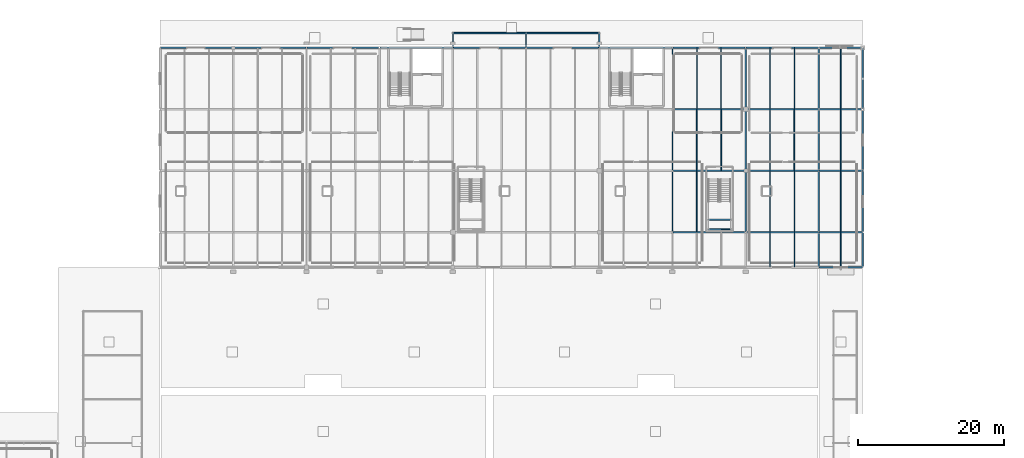
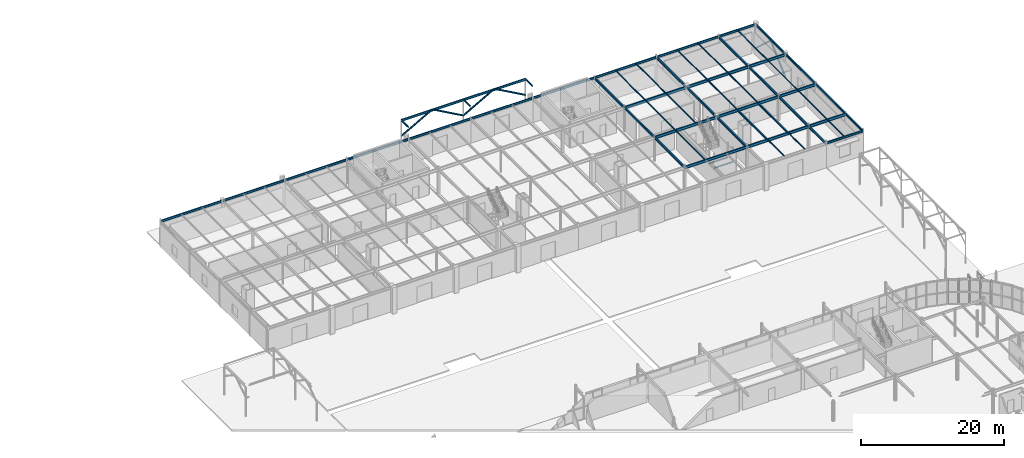
# One storey, part 72 of 119: 57 beams, 6 members.
"""IFC4 building model written with IfcOpenShell, lengths in metres."""

from ifc_helpers import new_model, si_unit, derived_unit, direction, frame, origin, origin_2d_with_axis, place, context, subcontext, project, spatial, hollow_rectangle, hollow_circle, i_section, extrude, material, material_profile, profile_set, type_object, element, save


model = new_model("IFC4")

# Units and contexts
model_context = context("Model", 3, precision=1e-05, world=origin(), true_north=direction((0.0, 1.0)))
body_context = subcontext(model_context, "Body", "Model", "MODEL_VIEW")
ifc_project = project(units=[si_unit("LENGTHUNIT", "METRE"), si_unit("AREAUNIT", "SQUARE_METRE"), si_unit("VOLUMEUNIT", "CUBIC_METRE"), si_unit("PLANEANGLEUNIT", "RADIAN"), si_unit("MASSUNIT", "GRAM", prefix="KILO"), derived_unit("THERMALTRANSMITTANCEUNIT", [(si_unit("POWERUNIT", "WATT"), 1), (si_unit("LENGTHUNIT", "METRE"), -2), (si_unit("THERMODYNAMICTEMPERATUREUNIT", "KELVIN"), -1)])], contexts=[model_context])

# Site, building, storey
site_placement = place(None, origin())
site = spatial("IfcSite", under=ifc_project, at=site_placement, CompositionType="ELEMENT")
building_placement = place(site_placement, origin())
building = spatial("IfcBuilding", under=site, at=building_placement, Name="Cinnabar Yard Market Hall", CompositionType="ELEMENT")
storey_placement = place(building_placement, origin())
storey = spatial("IfcBuildingStorey", under=building, at=storey_placement, Name="L00", CompositionType="ELEMENT", Elevation=0.0)

# Beams
ifc_material_1 = material(Name="Steel Grade 300 (300 MPa)", Category="steel")
ifc_material_profile_1 = material_profile(ifc_material_1, i_section(OverallWidth=0.18994140625, OverallDepth=0.453857421875, WebThickness=0.008544921875, FlangeThickness=0.0126953125, FilletRadius=0.011474609375, at=origin_2d_with_axis()), Name="460UB67.1")
ifc_profile_set_1 = profile_set([ifc_material_profile_1], Name="Steel Grade 300 (300 MPa)")
beam_type_1 = type_object("IfcBeamType", Name="BM-B05", PredefinedType="BEAM", material=ifc_profile_set_1)
for number, where, z_axis, x_axis, name in (
    (1, (136.06005859375, 112.800048828125, 4.01318359375), (1.0, 0.0, 0.0), (0.0, 1.0, 0.0), "V3 L00 Girder X 00895"),
    (2, (136.06005859375, 121.199951171875, 4.01318359375), (1.0, 0.0, 0.0), (0.0, 1.0, 0.0), "V3 L00 Girder X 00896"),
    (3, (136.06005859375, 129.60009765625, 4.01318359375), (1.0, 0.0, 0.0), (0.0, 1.0, 0.0), "V3 L00 Girder X 00897"),
    (4, (146.06005859375, 112.800048828125, 4.01318359375), (1.0, 0.0, 0.0), (0.0, 1.0, 0.0), "V3 L00 Girder X 00900"),
    (5, (146.06005859375, 121.199951171875, 4.01318359375), (1.0, 0.0, 0.0), (0.0, 1.0, 0.0), "V3 L00 Girder X 00901"),
    (6, (146.06005859375, 129.60009765625, 4.01318359375), (1.0, 0.0, 0.0), (0.0, 1.0, 0.0), "V3 L00 Girder X 00902"),
):
    element("IfcBeam", number, at=place(storey_placement, frame(where, z_axis=z_axis, x_axis=x_axis)), inside=storey, type_object=beam_type_1, Name=name, PredefinedType="BEAM", context=body_context, shape_type="SweptSolid", body=[
        extrude(i_section(OverallWidth=0.18994140625, OverallDepth=0.453857421875, WebThickness=0.008544921875, FlangeThickness=0.0126953125, FilletRadius=0.011474609375, at=origin_2d_with_axis()), origin(), (0.0, 0.0, 1.0), 9.8798828125),
    ])
for number, where, z_axis, x_axis, name in (
    (7, (156.06005859375, 112.800048828125, 4.01318359375), (1.0, 0.0, 0.0), (0.0, 1.0, 0.0), "V3 L00 Girder X 00905"),
    (8, (156.06005859375, 121.199951171875, 4.01318359375), (1.0, 0.0, 0.0), (0.0, 1.0, 0.0), "V3 L00 Girder X 00906"),
    (9, (156.06005859375, 129.60009765625, 4.01318359375), (1.0, 0.0, 0.0), (0.0, 1.0, 0.0), "V3 L00 Girder X 00907"),
):
    element("IfcBeam", number, at=place(storey_placement, frame(where, z_axis=z_axis, x_axis=x_axis)), inside=storey, type_object=beam_type_1, Name=name, PredefinedType="BEAM", context=body_context, shape_type="SweptSolid", body=[
        extrude(i_section(OverallWidth=0.18994140625, OverallDepth=0.453857421875, WebThickness=0.008544921875, FlangeThickness=0.0126953125, FilletRadius=0.011474609375, at=origin_2d_with_axis()), origin(), (0.0, 0.0, 1.0), 5.8798828125),
    ])
ifc_material_profile_2 = material_profile(ifc_material_1, i_section(OverallWidth=0.177978515625, OverallDepth=0.406494140625, WebThickness=0.0078125, FlangeThickness=0.0126953125, FilletRadius=0.011474609375, at=origin_2d_with_axis()), Name="410UB59.7")
ifc_profile_set_2 = profile_set([ifc_material_profile_2], Name="Steel Grade 300 (300 MPa)")
beam_type_2 = type_object("IfcBeamType", Name="BM-B06", PredefinedType="BEAM", material=ifc_profile_set_2)
beam_1_placement = place(storey_placement, frame((136.0, 112.860107421875, 4.036865234375), z_axis=(0.0, 1.0, 0.0), x_axis=(-1.0, 0.0, 0.0)))
element("IfcBeam", 10, at=beam_1_placement, inside=storey, type_object=beam_type_2, Name="V3 L00 Girder Y 00938", PredefinedType="BEAM", context=body_context, shape_type="SweptSolid", body=[
    extrude(i_section(OverallWidth=0.177978515625, OverallDepth=0.406494140625, WebThickness=0.0078125, FlangeThickness=0.0126953125, FilletRadius=0.011474609375, at=origin_2d_with_axis()), origin(), (0.0, 0.0, 1.0), 8.27978515625),
])
for number, where, z_axis, x_axis, name in (
    (11, (136.0, 121.260009765625, 4.036865234375), (0.0, 1.0, 0.0), (-1.0, 0.0, 0.0), "V3 L00 Girder Y 00939"),
    (12, (136.0, 129.659912109375, 4.036865234375), (0.0, 1.0, 0.0), (-1.0, 0.0, 0.0), "V3 L00 Girder Y 00940"),
):
    element("IfcBeam", number, at=place(storey_placement, frame(where, z_axis=z_axis, x_axis=x_axis)), inside=storey, type_object=beam_type_2, Name=name, PredefinedType="BEAM", context=body_context, shape_type="SweptSolid", body=[
        extrude(i_section(OverallWidth=0.177978515625, OverallDepth=0.406494140625, WebThickness=0.0078125, FlangeThickness=0.0126953125, FilletRadius=0.011474609375, at=origin_2d_with_axis()), origin(), (0.0, 0.0, 1.0), 8.280029296875),
    ])
beam_2_placement = place(storey_placement, frame((146.0, 112.860107421875, 4.036865234375), z_axis=(0.0, 1.0, 0.0), x_axis=(-1.0, 0.0, 0.0)))
element("IfcBeam", 13, at=beam_2_placement, inside=storey, type_object=beam_type_2, Name="V3 L00 Girder Y 00942", PredefinedType="BEAM", context=body_context, shape_type="SweptSolid", body=[
    extrude(i_section(OverallWidth=0.177978515625, OverallDepth=0.406494140625, WebThickness=0.0078125, FlangeThickness=0.0126953125, FilletRadius=0.011474609375, at=origin_2d_with_axis()), origin(), (0.0, 0.0, 1.0), 8.27978515625),
])
for number, where, z_axis, x_axis, name in (
    (14, (146.0, 121.260009765625, 4.036865234375), (0.0, 1.0, 0.0), (-1.0, 0.0, 0.0), "V3 L00 Girder Y 00943"),
    (15, (146.0, 129.659912109375, 4.036865234375), (0.0, 1.0, 0.0), (-1.0, 0.0, 0.0), "V3 L00 Girder Y 00944"),
):
    element("IfcBeam", number, at=place(storey_placement, frame(where, z_axis=z_axis, x_axis=x_axis)), inside=storey, type_object=beam_type_2, Name=name, PredefinedType="BEAM", context=body_context, shape_type="SweptSolid", body=[
        extrude(i_section(OverallWidth=0.177978515625, OverallDepth=0.406494140625, WebThickness=0.0078125, FlangeThickness=0.0126953125, FilletRadius=0.011474609375, at=origin_2d_with_axis()), origin(), (0.0, 0.0, 1.0), 8.280029296875),
    ])
beam_3_placement = place(storey_placement, frame((156.0, 108.06005859375, 4.036865234375), z_axis=(0.0, 1.0, 0.0), x_axis=(-1.0, 0.0, 0.0)))
element("IfcBeam", 16, at=beam_3_placement, inside=storey, type_object=beam_type_2, Name="V3 L00 Girder Y 00945", PredefinedType="BEAM", context=body_context, shape_type="SweptSolid", body=[
    extrude(i_section(OverallWidth=0.177978515625, OverallDepth=0.406494140625, WebThickness=0.0078125, FlangeThickness=0.0126953125, FilletRadius=0.011474609375, at=origin_2d_with_axis()), origin(), (0.0, 0.0, 1.0), 4.679931640625),
])
beam_4_placement = place(storey_placement, frame((156.0, 112.860107421875, 4.036865234375), z_axis=(0.0, 1.0, 0.0), x_axis=(-1.0, 0.0, 0.0)))
element("IfcBeam", 17, at=beam_4_placement, inside=storey, type_object=beam_type_2, Name="V3 L00 Girder Y 00946", PredefinedType="BEAM", context=body_context, shape_type="SweptSolid", body=[
    extrude(i_section(OverallWidth=0.177978515625, OverallDepth=0.406494140625, WebThickness=0.0078125, FlangeThickness=0.0126953125, FilletRadius=0.011474609375, at=origin_2d_with_axis()), origin(), (0.0, 0.0, 1.0), 8.27978515625),
])
for number, where, z_axis, x_axis, name in (
    (18, (156.0, 121.260009765625, 4.036865234375), (0.0, 1.0, 0.0), (-1.0, 0.0, 0.0), "V3 L00 Girder Y 00947"),
    (19, (156.0, 129.659912109375, 4.036865234375), (0.0, 1.0, 0.0), (-1.0, 0.0, 0.0), "V3 L00 Girder Y 00948"),
):
    element("IfcBeam", number, at=place(storey_placement, frame(where, z_axis=z_axis, x_axis=x_axis)), inside=storey, type_object=beam_type_2, Name=name, PredefinedType="BEAM", context=body_context, shape_type="SweptSolid", body=[
        extrude(i_section(OverallWidth=0.177978515625, OverallDepth=0.406494140625, WebThickness=0.0078125, FlangeThickness=0.0126953125, FilletRadius=0.011474609375, at=origin_2d_with_axis()), origin(), (0.0, 0.0, 1.0), 8.280029296875),
    ])
ifc_material_profile_3 = material_profile(ifc_material_1, i_section(OverallWidth=0.172119140625, OverallDepth=0.358642578125, WebThickness=0.008056640625, FlangeThickness=0.012939453125, FilletRadius=0.011474609375, at=origin_2d_with_axis()), Name="360UB56.7")
ifc_profile_set_3 = profile_set([ifc_material_profile_3], Name="Steel Grade 300 (300 MPa)")
beam_type_3 = type_object("IfcBeamType", Name="BM-B07E", PredefinedType="BEAM", material=ifc_profile_set_3)
beam_5_placement = place(storey_placement, frame((106.0, 140.0, 6.07080078125), z_axis=(1.0, 0.0, 0.0), x_axis=(0.0, 1.0, 0.0)))
element("IfcBeam", 20, at=beam_5_placement, inside=storey, type_object=beam_type_3, Name="North Pishtaq Canopy Beam 01582", PredefinedType="BEAM", context=body_context, shape_type="SweptSolid", body=[
    extrude(i_section(OverallWidth=0.172119140625, OverallDepth=0.358642578125, WebThickness=0.008056640625, FlangeThickness=0.012939453125, FilletRadius=0.011474609375, at=origin_2d_with_axis()), origin(), (0.0, 0.0, 1.0), 20.0),
])
ifc_material_profile_4 = material_profile(ifc_material_1, i_section(OverallWidth=0.14599609375, OverallDepth=0.256103515625, WebThickness=0.00634765625, FlangeThickness=0.010986328125, FilletRadius=0.0087890625, at=origin_2d_with_axis()), Name="250UB37.3")
ifc_profile_set_4 = profile_set([ifc_material_profile_4], Name="Steel Grade 300 (300 MPa)")
beam_type_4 = type_object("IfcBeamType", Name="BM-J03E", PredefinedType="JOIST", material=ifc_profile_set_4)
for number, where, z_axis, x_axis, name in (
    (21, (106.0, 138.0, 6.121826171875), (0.0, 1.0, 0.0), (-1.0, 0.0, 0.0), "North Pishtaq Tie 01583"),
    (22, (116.0, 138.0, 6.121826171875), (0.0, 1.0, 0.0), (-1.0, 0.0, 0.0), "North Pishtaq Tie 01584"),
    (23, (126.0, 138.0, 6.121826171875), (0.0, 1.0, 0.0), (-1.0, 0.0, 0.0), "North Pishtaq Tie 01585"),
):
    element("IfcBeam", number, at=place(storey_placement, frame(where, z_axis=z_axis, x_axis=x_axis)), inside=storey, type_object=beam_type_4, Name=name, PredefinedType="JOIST", context=body_context, shape_type="SweptSolid", body=[
        extrude(i_section(OverallWidth=0.14599609375, OverallDepth=0.256103515625, WebThickness=0.00634765625, FlangeThickness=0.010986328125, FilletRadius=0.0087890625, at=origin_2d_with_axis()), origin(), (0.0, 0.0, 1.0), 2.0),
    ])
ifc_material_profile_5 = material_profile(ifc_material_1, i_section(OverallWidth=0.133056640625, OverallDepth=0.203125, WebThickness=0.005859375, FlangeThickness=0.0078125, FilletRadius=0.0087890625, at=origin_2d_with_axis()), Name="200UB25.4")
ifc_profile_set_5 = profile_set([ifc_material_profile_5], Name="Steel Grade 300 (300 MPa)")
beam_type_5 = type_object("IfcBeamType", Name="BM-J07", PredefinedType="JOIST", material=ifc_profile_set_5)
beam_6_placement = place(storey_placement, frame((139.333251953125, 112.875, 4.138427734375), z_axis=(0.0, 1.0, 0.0), x_axis=(-1.0, 0.0, 0.0)))
element("IfcBeam", 24, at=beam_6_placement, inside=storey, type_object=beam_type_5, Name="V3 L00 Joist 01005", PredefinedType="JOIST", context=body_context, shape_type="SweptSolid", body=[
    extrude(i_section(OverallWidth=0.133056640625, OverallDepth=0.203125, WebThickness=0.005859375, FlangeThickness=0.0078125, FilletRadius=0.0087890625, at=origin_2d_with_axis()), origin(), (0.0, 0.0, 1.0), 8.25),
])
ifc_material_profile_6 = material_profile(ifc_material_1, i_section(OverallWidth=0.090087890625, OverallDepth=0.178955078125, WebThickness=0.006103515625, FlangeThickness=0.009521484375, FilletRadius=0.0087890625, at=origin_2d_with_axis()), Name="180UB22.2")
ifc_profile_set_6 = profile_set([ifc_material_profile_6], Name="Steel Grade 300 (300 MPa)")
beam_type_6 = type_object("IfcBeamType", Name="BM-J08", PredefinedType="JOIST", material=ifc_profile_set_6)
for number, where, z_axis, x_axis, name in (
    (25, (139.333251953125, 121.27490234375, 4.150390625), (0.0, 1.0, 0.0), (-1.0, 0.0, 0.0), "V3 L00 Joist 01006"),
    (26, (142.666748046875, 121.27490234375, 4.150390625), (0.0, 1.0, 0.0), (-1.0, 0.0, 0.0), "V3 L00 Joist 01009"),
):
    element("IfcBeam", number, at=place(storey_placement, frame(where, z_axis=z_axis, x_axis=x_axis)), inside=storey, type_object=beam_type_6, Name=name, PredefinedType="JOIST", context=body_context, shape_type="SweptSolid", body=[
        extrude(i_section(OverallWidth=0.090087890625, OverallDepth=0.178955078125, WebThickness=0.006103515625, FlangeThickness=0.009521484375, FilletRadius=0.0087890625, at=origin_2d_with_axis()), origin(), (0.0, 0.0, 1.0), 8.25),
    ])
ifc_material_profile_7 = material_profile(ifc_material_1, i_section(OverallWidth=0.074951171875, OverallDepth=0.155029296875, WebThickness=0.006103515625, FlangeThickness=0.009521484375, FilletRadius=0.008056640625, at=origin_2d_with_axis()), Name="150UB18.0")
ifc_profile_set_7 = profile_set([ifc_material_profile_7], Name="Steel Grade 300 (300 MPa)")
beam_type_7 = type_object("IfcBeamType", Name="BM-J09", PredefinedType="JOIST", material=ifc_profile_set_7)
for number, where, z_axis, x_axis, name in (
    (27, (139.333251953125, 129.675048828125, 4.16259765625), (0.0, 1.0, 0.0), (-1.0, 0.0, 0.0), "V3 L00 Joist 01007"),
    (28, (142.666748046875, 129.675048828125, 4.16259765625), (0.0, 1.0, 0.0), (-1.0, 0.0, 0.0), "V3 L00 Joist 01010"),
):
    element("IfcBeam", number, at=place(storey_placement, frame(where, z_axis=z_axis, x_axis=x_axis)), inside=storey, type_object=beam_type_7, Name=name, PredefinedType="JOIST", context=body_context, shape_type="SweptSolid", body=[
        extrude(i_section(OverallWidth=0.074951171875, OverallDepth=0.155029296875, WebThickness=0.006103515625, FlangeThickness=0.009521484375, FilletRadius=0.008056640625, at=origin_2d_with_axis()), origin(), (0.0, 0.0, 1.0), 8.25),
    ])
for number, where, z_axis, x_axis, name in (
    (29, (149.333251953125, 108.074951171875, 4.16259765625), (0.0, 1.0, 0.0), (-1.0, 0.0, 0.0), "V3 L00 Joist 01011"),
    (30, (152.666748046875, 108.074951171875, 4.16259765625), (0.0, 1.0, 0.0), (-1.0, 0.0, 0.0), "V3 L00 Joist 01015"),
):
    element("IfcBeam", number, at=place(storey_placement, frame(where, z_axis=z_axis, x_axis=x_axis)), inside=storey, type_object=beam_type_7, Name=name, PredefinedType="JOIST", context=body_context, shape_type="SweptSolid", body=[
        extrude(i_section(OverallWidth=0.074951171875, OverallDepth=0.155029296875, WebThickness=0.006103515625, FlangeThickness=0.009521484375, FilletRadius=0.008056640625, at=origin_2d_with_axis()), origin(), (0.0, 0.0, 1.0), 4.650146484375),
    ])
ifc_material_profile_8 = material_profile(ifc_material_1, i_section(OverallWidth=0.1650390625, OverallDepth=0.303955078125, WebThickness=0.006103515625, FlangeThickness=0.01025390625, FilletRadius=0.011474609375, at=origin_2d_with_axis()), Name="310UB40.4")
ifc_profile_set_8 = profile_set([ifc_material_profile_8], Name="Steel Grade 300 (300 MPa)")
beam_type_8 = type_object("IfcBeamType", Name="BM-J10", PredefinedType="JOIST", material=ifc_profile_set_8)
for number, where, z_axis, x_axis, name in (
    (31, (149.333251953125, 112.875, 4.087890625), (0.0, 1.0, 0.0), (-1.0, 0.0, 0.0), "V3 L00 Joist 01012"),
    (32, (152.666748046875, 112.875, 4.087890625), (0.0, 1.0, 0.0), (-1.0, 0.0, 0.0), "V3 L00 Joist 01016"),
):
    element("IfcBeam", number, at=place(storey_placement, frame(where, z_axis=z_axis, x_axis=x_axis)), inside=storey, type_object=beam_type_8, Name=name, PredefinedType="JOIST", context=body_context, shape_type="SweptSolid", body=[
        extrude(i_section(OverallWidth=0.1650390625, OverallDepth=0.303955078125, WebThickness=0.006103515625, FlangeThickness=0.01025390625, FilletRadius=0.011474609375, at=origin_2d_with_axis()), origin(), (0.0, 0.0, 1.0), 8.25),
    ])
ifc_material_profile_9 = material_profile(ifc_material_1, i_section(OverallWidth=0.133056640625, OverallDepth=0.20166015625, WebThickness=0.0048828125, FlangeThickness=0.0078125, FilletRadius=0.0087890625, at=origin_2d_with_axis()), Name="200UB22.3")
ifc_profile_set_9 = profile_set([ifc_material_profile_9], Name="Steel Grade 300 (300 MPa)")
beam_type_9 = type_object("IfcBeamType", Name="BM-J11", PredefinedType="JOIST", material=ifc_profile_set_9)
for number, where, z_axis, x_axis, name in (
    (33, (149.333251953125, 121.27490234375, 4.13916015625), (0.0, 1.0, 0.0), (-1.0, 0.0, 0.0), "V3 L00 Joist 01013"),
    (34, (152.666748046875, 121.27490234375, 4.13916015625), (0.0, 1.0, 0.0), (-1.0, 0.0, 0.0), "V3 L00 Joist 01017"),
):
    element("IfcBeam", number, at=place(storey_placement, frame(where, z_axis=z_axis, x_axis=x_axis)), inside=storey, type_object=beam_type_9, Name=name, PredefinedType="JOIST", context=body_context, shape_type="SweptSolid", body=[
        extrude(i_section(OverallWidth=0.133056640625, OverallDepth=0.20166015625, WebThickness=0.0048828125, FlangeThickness=0.0078125, FilletRadius=0.0087890625, at=origin_2d_with_axis()), origin(), (0.0, 0.0, 1.0), 8.25),
    ])
ifc_material_profile_10 = material_profile(ifc_material_1, i_section(OverallWidth=0.09912109375, OverallDepth=0.197998046875, WebThickness=0.00439453125, FlangeThickness=0.007080078125, FilletRadius=0.0087890625, at=origin_2d_with_axis()), Name="200UB18.2")
ifc_profile_set_10 = profile_set([ifc_material_profile_10], Name="Steel Grade 300 (300 MPa)")
beam_type_10 = type_object("IfcBeamType", Name="BM-J12", PredefinedType="JOIST", material=ifc_profile_set_10)
for number, where, z_axis, x_axis, name in (
    (35, (149.333251953125, 129.675048828125, 4.14111328125), (0.0, 1.0, 0.0), (-1.0, 0.0, 0.0), "V3 L00 Joist 01014"),
    (36, (152.666748046875, 129.675048828125, 4.14111328125), (0.0, 1.0, 0.0), (-1.0, 0.0, 0.0), "V3 L00 Joist 01018"),
):
    element("IfcBeam", number, at=place(storey_placement, frame(where, z_axis=z_axis, x_axis=x_axis)), inside=storey, type_object=beam_type_10, Name=name, PredefinedType="JOIST", context=body_context, shape_type="SweptSolid", body=[
        extrude(i_section(OverallWidth=0.09912109375, OverallDepth=0.197998046875, WebThickness=0.00439453125, FlangeThickness=0.007080078125, FilletRadius=0.0087890625, at=origin_2d_with_axis()), origin(), (0.0, 0.0, 1.0), 8.25),
    ])
beam_7_placement = place(storey_placement, frame((159.0, 108.074951171875, 4.14111328125), z_axis=(0.0, 1.0, 0.0), x_axis=(-1.0, 0.0, 0.0)))
element("IfcBeam", 37, at=beam_7_placement, inside=storey, type_object=beam_type_10, Name="V3 L00 Joist 01019", PredefinedType="JOIST", context=body_context, shape_type="SweptSolid", body=[
    extrude(i_section(OverallWidth=0.09912109375, OverallDepth=0.197998046875, WebThickness=0.00439453125, FlangeThickness=0.007080078125, FilletRadius=0.0087890625, at=origin_2d_with_axis()), origin(), (0.0, 0.0, 1.0), 4.650146484375),
])
ifc_material_profile_11 = material_profile(ifc_material_1, i_section(OverallWidth=0.090087890625, OverallDepth=0.175048828125, WebThickness=0.0048828125, FlangeThickness=0.008056640625, FilletRadius=0.0087890625, at=origin_2d_with_axis()), Name="180UB18.1")
ifc_profile_set_11 = profile_set([ifc_material_profile_11], Name="Steel Grade 300 (300 MPa)")
beam_type_11 = type_object("IfcBeamType", Name="BM-J13", PredefinedType="JOIST", material=ifc_profile_set_11)
beam_8_placement = place(storey_placement, frame((159.0, 112.875, 4.152587890625), z_axis=(0.0, 1.0, 0.0), x_axis=(-1.0, 0.0, 0.0)))
element("IfcBeam", 38, at=beam_8_placement, inside=storey, type_object=beam_type_11, Name="V3 L00 Joist 01020", PredefinedType="JOIST", context=body_context, shape_type="SweptSolid", body=[
    extrude(i_section(OverallWidth=0.090087890625, OverallDepth=0.175048828125, WebThickness=0.0048828125, FlangeThickness=0.008056640625, FilletRadius=0.0087890625, at=origin_2d_with_axis()), origin(), (0.0, 0.0, 1.0), 8.25),
])
ifc_material_profile_12 = material_profile(ifc_material_1, i_section(OverallWidth=0.090087890625, OverallDepth=0.173095703125, WebThickness=0.00439453125, FlangeThickness=0.007080078125, FilletRadius=0.0087890625, at=origin_2d_with_axis()), Name="180UB16.1")
ifc_profile_set_12 = profile_set([ifc_material_profile_12], Name="Steel Grade 300 (300 MPa)")
beam_type_12 = type_object("IfcBeamType", Name="BM-J14", PredefinedType="JOIST", material=ifc_profile_set_12)
beam_9_placement = place(storey_placement, frame((159.0, 121.27490234375, 4.153564453125), z_axis=(0.0, 1.0, 0.0), x_axis=(-1.0, 0.0, 0.0)))
element("IfcBeam", 39, at=beam_9_placement, inside=storey, type_object=beam_type_12, Name="V3 L00 Joist 01021", PredefinedType="JOIST", context=body_context, shape_type="SweptSolid", body=[
    extrude(i_section(OverallWidth=0.090087890625, OverallDepth=0.173095703125, WebThickness=0.00439453125, FlangeThickness=0.007080078125, FilletRadius=0.0087890625, at=origin_2d_with_axis()), origin(), (0.0, 0.0, 1.0), 8.25),
])
ifc_material_profile_13 = material_profile(ifc_material_1, i_section(OverallWidth=0.074951171875, OverallDepth=0.14990234375, WebThickness=0.0048828125, FlangeThickness=0.007080078125, FilletRadius=0.008056640625, at=origin_2d_with_axis()), Name="150UB14.0")
ifc_profile_set_13 = profile_set([ifc_material_profile_13], Name="Steel Grade 300 (300 MPa)")
beam_type_13 = type_object("IfcBeamType", Name="BM-J15", PredefinedType="JOIST", material=ifc_profile_set_13)
beam_10_placement = place(storey_placement, frame((159.0, 129.675048828125, 4.1650390625), z_axis=(0.0, 1.0, 0.0), x_axis=(-1.0, 0.0, 0.0)))
element("IfcBeam", 40, at=beam_10_placement, inside=storey, type_object=beam_type_13, Name="V3 L00 Joist 01022", PredefinedType="JOIST", context=body_context, shape_type="SweptSolid", body=[
    extrude(i_section(OverallWidth=0.074951171875, OverallDepth=0.14990234375, WebThickness=0.0048828125, FlangeThickness=0.007080078125, FilletRadius=0.008056640625, at=origin_2d_with_axis()), origin(), (0.0, 0.0, 1.0), 8.25),
])
ifc_material_2 = material(Name="Cold-formed steel C350L0", Category="steel")
ifc_material_profile_14 = material_profile(ifc_material_2, hollow_rectangle(XDim=0.10009765625, YDim=0.199951171875, WallThickness=0.006103515625, InnerFilletRadius=0.006103515625, OuterFilletRadius=0.011962890625, at=origin_2d_with_axis()), Name="200x100x6.0RHS")
ifc_profile_set_14 = profile_set([ifc_material_profile_14], Name="Cold-formed steel C350L0")
beam_type_14 = type_object("IfcBeamType", Name="BM-LN01", PredefinedType="LINTEL", material=ifc_profile_set_14)
for number, where, z_axis, x_axis, name in (
    (41, (140.949951171875, 113.199951171875, 1.949951171875), (1.0, 0.0, 0.0), (0.0, 1.0, 0.0), "Feature Stair Landing Beam S ST-F6 L00"),
    (42, (140.949951171875, 114.5, 1.949951171875), (1.0, 0.0, 0.0), (0.0, 1.0, 0.0), "Feature Stair Landing Beam N ST-F6 L00"),
):
    element("IfcBeam", number, at=place(storey_placement, frame(where, z_axis=z_axis, x_axis=x_axis)), inside=storey, type_object=beam_type_14, Name=name, PredefinedType="LINTEL", context=body_context, shape_type="SweptSolid", body=[
        extrude(hollow_rectangle(XDim=0.10009765625, YDim=0.199951171875, WallThickness=0.006103515625, InnerFilletRadius=0.006103515625, OuterFilletRadius=0.011962890625, at=origin_2d_with_axis()), origin(), (0.0, 0.0, 1.0), 3.0),
    ])
ifc_material_profile_15 = material_profile(ifc_material_1, i_section(OverallWidth=0.172119140625, OverallDepth=0.358642578125, WebThickness=0.008056640625, FlangeThickness=0.012939453125, FilletRadius=0.011474609375, at=origin_2d_with_axis()), Name="360UB56.7")
ifc_profile_set_15 = profile_set([ifc_material_profile_15], Name="Steel Grade 300 (300 MPa)")
beam_type_15 = type_object("IfcBeamType", Name="BM-SP02E", PredefinedType="SPANDREL", material=ifc_profile_set_15)
for number, where, z_axis, x_axis, name in (
    (43, (66.06005859375, 138.0, 4.060791015625), (1.0, 0.0, 0.0), (0.0, 1.0, 0.0), "V3 L00 Girder X 00863"),
    (44, (76.06005859375, 138.0, 4.060791015625), (1.0, 0.0, 0.0), (0.0, 1.0, 0.0), "V3 L00 Girder X 00868"),
    (45, (86.06005859375, 138.0, 4.060791015625), (1.0, 0.0, 0.0), (0.0, 1.0, 0.0), "V3 L00 Girder X 00873"),
    (46, (96.06005859375, 138.0, 4.060791015625), (1.0, 0.0, 0.0), (0.0, 1.0, 0.0), "V3 L00 Girder X 00878"),
    (47, (106.06005859375, 138.0, 4.060791015625), (1.0, 0.0, 0.0), (0.0, 1.0, 0.0), "V3 L00 Girder X 00883"),
    (48, (116.06005859375, 138.0, 4.060791015625), (1.0, 0.0, 0.0), (0.0, 1.0, 0.0), "V3 L00 Girder X 00888"),
    (49, (126.06005859375, 138.0, 4.060791015625), (1.0, 0.0, 0.0), (0.0, 1.0, 0.0), "V3 L00 Girder X 00893"),
    (50, (136.06005859375, 138.0, 4.060791015625), (1.0, 0.0, 0.0), (0.0, 1.0, 0.0), "V3 L00 Girder X 00898"),
    (51, (146.06005859375, 138.0, 4.060791015625), (1.0, 0.0, 0.0), (0.0, 1.0, 0.0), "V3 L00 Girder X 00903"),
):
    element("IfcBeam", number, at=place(storey_placement, frame(where, z_axis=z_axis, x_axis=x_axis)), inside=storey, type_object=beam_type_15, Name=name, PredefinedType="SPANDREL", context=body_context, shape_type="SweptSolid", body=[
        extrude(i_section(OverallWidth=0.172119140625, OverallDepth=0.358642578125, WebThickness=0.008056640625, FlangeThickness=0.012939453125, FilletRadius=0.011474609375, at=origin_2d_with_axis()), origin(), (0.0, 0.0, 1.0), 9.8798828125),
    ])
for number, where, z_axis, x_axis, name in (
    (52, (156.06005859375, 108.0, 4.060791015625), (1.0, 0.0, 0.0), (0.0, 1.0, 0.0), "V3 L00 Girder X 00904"),
    (53, (156.06005859375, 138.0, 4.060791015625), (1.0, 0.0, 0.0), (0.0, 1.0, 0.0), "V3 L00 Girder X 00908"),
):
    element("IfcBeam", number, at=place(storey_placement, frame(where, z_axis=z_axis, x_axis=x_axis)), inside=storey, type_object=beam_type_15, Name=name, PredefinedType="SPANDREL", context=body_context, shape_type="SweptSolid", body=[
        extrude(i_section(OverallWidth=0.172119140625, OverallDepth=0.358642578125, WebThickness=0.008056640625, FlangeThickness=0.012939453125, FilletRadius=0.011474609375, at=origin_2d_with_axis()), origin(), (0.0, 0.0, 1.0), 5.8798828125),
    ])
beam_11_placement = place(storey_placement, frame((162.0, 108.06005859375, 4.060791015625), z_axis=(0.0, 1.0, 0.0), x_axis=(-1.0, 0.0, 0.0)))
element("IfcBeam", 54, at=beam_11_placement, inside=storey, type_object=beam_type_15, Name="V3 L00 Girder Y 00949", PredefinedType="SPANDREL", context=body_context, shape_type="SweptSolid", body=[
    extrude(i_section(OverallWidth=0.172119140625, OverallDepth=0.358642578125, WebThickness=0.008056640625, FlangeThickness=0.012939453125, FilletRadius=0.011474609375, at=origin_2d_with_axis()), origin(), (0.0, 0.0, 1.0), 4.679931640625),
])
beam_12_placement = place(storey_placement, frame((162.0, 112.860107421875, 4.060791015625), z_axis=(0.0, 1.0, 0.0), x_axis=(-1.0, 0.0, 0.0)))
element("IfcBeam", 55, at=beam_12_placement, inside=storey, type_object=beam_type_15, Name="V3 L00 Girder Y 00950", PredefinedType="SPANDREL", context=body_context, shape_type="SweptSolid", body=[
    extrude(i_section(OverallWidth=0.172119140625, OverallDepth=0.358642578125, WebThickness=0.008056640625, FlangeThickness=0.012939453125, FilletRadius=0.011474609375, at=origin_2d_with_axis()), origin(), (0.0, 0.0, 1.0), 8.27978515625),
])
for number, where, z_axis, x_axis, name in (
    (56, (162.0, 121.260009765625, 4.060791015625), (0.0, 1.0, 0.0), (-1.0, 0.0, 0.0), "V3 L00 Girder Y 00951"),
    (57, (162.0, 129.659912109375, 4.060791015625), (0.0, 1.0, 0.0), (-1.0, 0.0, 0.0), "V3 L00 Girder Y 00952"),
):
    element("IfcBeam", number, at=place(storey_placement, frame(where, z_axis=z_axis, x_axis=x_axis)), inside=storey, type_object=beam_type_15, Name=name, PredefinedType="SPANDREL", context=body_context, shape_type="SweptSolid", body=[
        extrude(i_section(OverallWidth=0.172119140625, OverallDepth=0.358642578125, WebThickness=0.008056640625, FlangeThickness=0.012939453125, FilletRadius=0.011474609375, at=origin_2d_with_axis()), origin(), (0.0, 0.0, 1.0), 8.280029296875),
    ])

# Members
ifc_material_3 = material(Name="Spotted-gum glulam-clad steel Grade 350 (350 MPa)", Category="steel")
ifc_material_profile_16 = material_profile(ifc_material_3, hollow_circle(Radius=0.136474609375, WallThickness=0.00927734375, at=origin_2d_with_axis()), Name="273.1x9.3CHS")
ifc_profile_set_16 = profile_set([ifc_material_profile_16], Name="Spotted-gum glulam-clad steel Grade 350 (350 MPa)")
member_type_1 = type_object("IfcMemberType", Name="MB-AR01E", PredefinedType="USERDEFINED", material=ifc_profile_set_16)
for number, where, z_axis, x_axis, name in (
    (58, (106.0, 140.0, 3.39990234375), (0.872502383543, 0.0, 0.488609855315), (0.0, 1.0, 0.0), "North Pishtaq Arch 1A"),
    (59, (116.0, 140.0, 3.39990234375), (-0.872502383543, 0.0, 0.488609855315), (0.0, -1.0, 0.0), "North Pishtaq Arch 1B"),
    (60, (116.0, 140.0, 3.39990234375), (0.872502383543, 0.0, 0.488609855315), (0.0, 1.0, 0.0), "North Pishtaq Arch 2A"),
    (61, (126.0, 140.0, 3.39990234375), (-0.872502383543, 0.0, 0.488609855315), (0.0, -1.0, 0.0), "North Pishtaq Arch 2B"),
):
    element("IfcMember", number, at=place(storey_placement, frame(where, z_axis=z_axis, x_axis=x_axis)), inside=storey, type_object=member_type_1, Name=name, ObjectType="ARCH RIB", PredefinedType="USERDEFINED", context=body_context, shape_type="SweptSolid", body=[
        extrude(hollow_circle(Radius=0.136474609375, WallThickness=0.00927734375, at=origin_2d_with_axis()), origin(), (0.0, 0.0, 1.0), 5.730712890625),
    ])
ifc_material_profile_17 = material_profile(ifc_material_2, hollow_rectangle(XDim=0.199951171875, YDim=0.199951171875, WallThickness=0.008056640625, InnerFilletRadius=0.008056640625, OuterFilletRadius=0.01611328125, at=origin_2d_with_axis()), Name="200x200x8.0SHS")
ifc_profile_set_17 = profile_set([ifc_material_profile_17], Name="Cold-formed steel C350L0")
member_type_2 = type_object("IfcMemberType", Name="MB-BR01E", PredefinedType="BRACE", material=ifc_profile_set_17)
for number, where, z_axis, x_axis, name in (
    (62, (162.0, 129.60009765625, 0.0), (0.0, 0.736267006302, 0.676691137397), (-1.0, 0.0, 0.0), "Chevron Brace CBF-V3-E0 A"),
    (63, (162.0, 138.0, 0.0), (0.0, -0.736267006302, 0.676691137397), (1.0, 0.0, 0.0), "Chevron Brace CBF-V3-E0 B"),
):
    element("IfcMember", number, at=place(storey_placement, frame(where, z_axis=z_axis, x_axis=x_axis)), inside=storey, type_object=member_type_2, Name=name, PredefinedType="BRACE", context=body_context, shape_type="SweptSolid", body=[
        extrude(hollow_rectangle(XDim=0.199951171875, YDim=0.199951171875, WallThickness=0.008056640625, InnerFilletRadius=0.008056640625, OuterFilletRadius=0.01611328125, at=origin_2d_with_axis()), origin(), (0.0, 0.0, 1.0), 5.704345703125),
    ])

save(model, "model.ifc")
